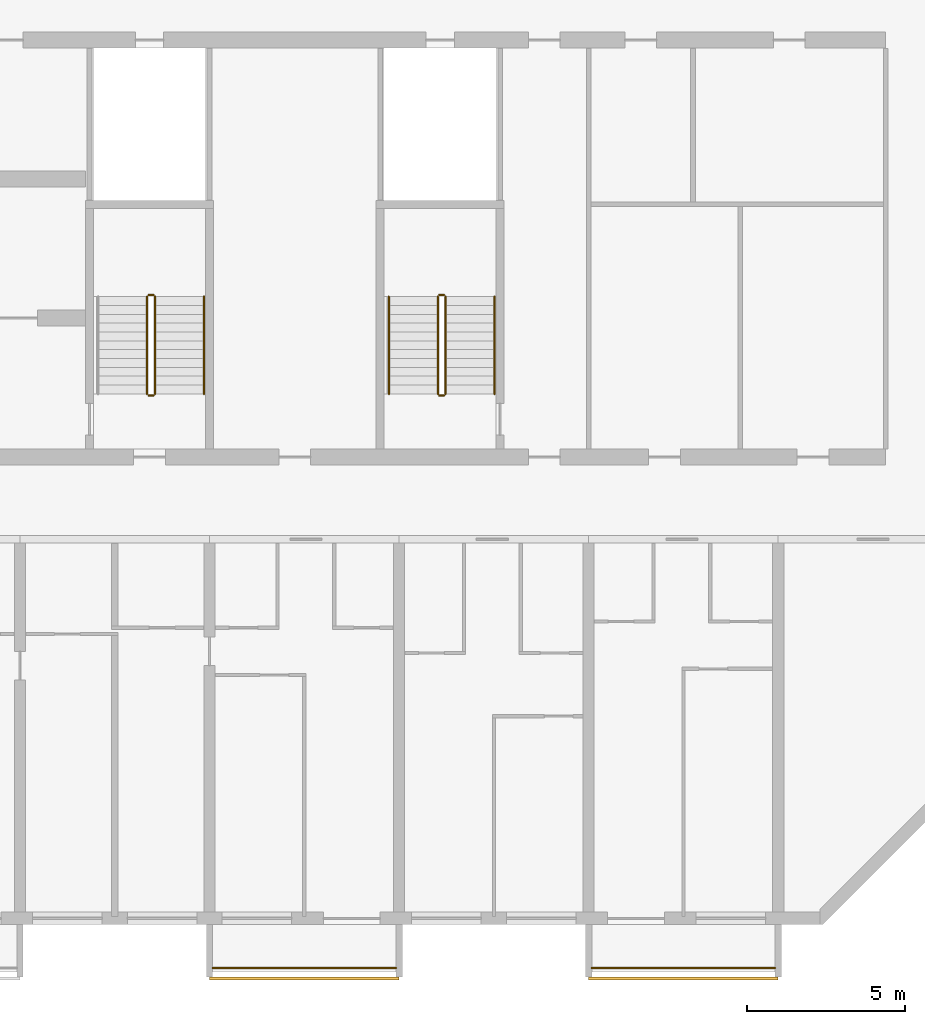
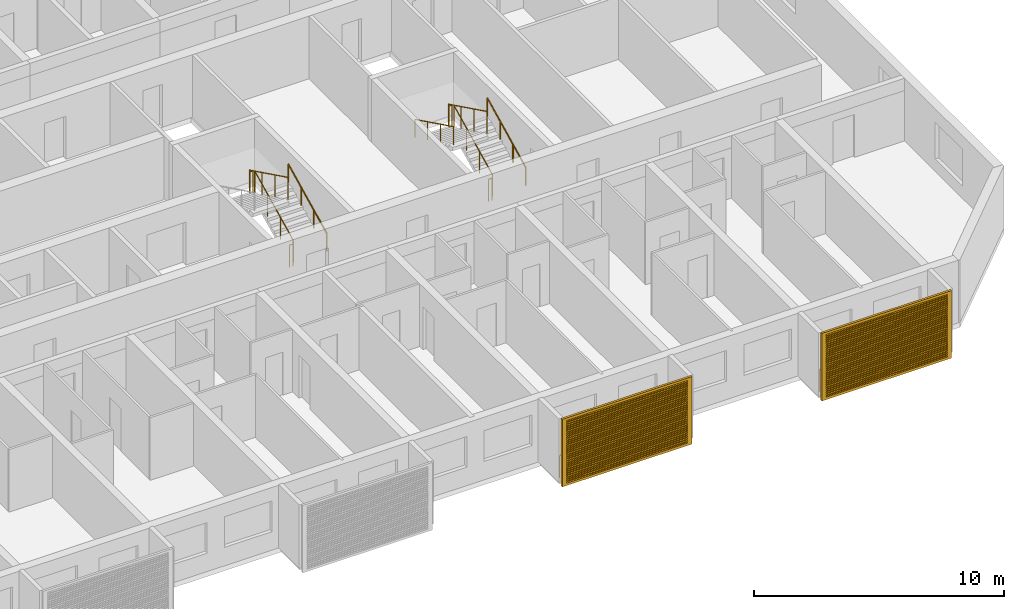
# One storey, part 27 of 29: 13 railings, 2 shading devices.
"""IFC4 building model written with IfcOpenShell, lengths in metres."""

from ifc_helpers import new_model, si_unit, direction, frame, origin, origin_2d, place, context, subcontext, project, spatial, polyline, circle, outline, extrude, source, transform, mapped, material, material_profile, profile_set, type_object, element, save


model = new_model("IFC4")

# Units and contexts
model_context = context("Model", 3, precision=1e-05, world=origin(), true_north=direction((0.0, 1.0)))
body_context = subcontext(model_context, "Body", "Model", "MODEL_VIEW")
ifc_project = project(units=[si_unit("LENGTHUNIT", "METRE"), si_unit("AREAUNIT", "SQUARE_METRE"), si_unit("VOLUMEUNIT", "CUBIC_METRE"), si_unit("PLANEANGLEUNIT", "RADIAN"), si_unit("MASSUNIT", "GRAM", prefix="KILO")], contexts=[model_context])

# Site, building, storey
site_placement = place(None, origin())
site = spatial("IfcSite", under=ifc_project, at=site_placement, CompositionType="ELEMENT")
building_placement = place(site_placement, origin())
building = spatial("IfcBuilding", under=site, at=building_placement, Name="Poui Terraces", CompositionType="ELEMENT")
storey_placement = place(building_placement, frame((0.0, 0.0, 86.10009765625)))
storey = spatial("IfcBuildingStorey", under=building, at=storey_placement, Name="L23", CompositionType="ELEMENT", Elevation=86.10009765625)

# Railings
ifc_material_1 = material(Name="Painted steel fretwork", Category="steel")
railing_type_1 = type_object("IfcRailingType", Name="BALCONY GUARD 1100", PredefinedType="GUARDRAIL", material=ifc_material_1)
for number, where, name in (
    (1, (72.10009765625, -1.570068359375, 0.0), "BALCONY GUARD"),
    (2, (84.10009765625, -1.570068359375, 0.0), "BALCONY GUARD"),
):
    element("IfcRailing", number, at=place(storey_placement, frame(where)), inside=storey, type_object=railing_type_1, Name=name, PredefinedType="GUARDRAIL", context=body_context, shape_type="SweptSolid", body=[
        extrude(circle(Radius=0.02392578125, at=origin_2d()), frame((0.0, 0.0, 1.076171875), z_axis=(1.0, 0.0, 0.0), x_axis=(0.0, 1.0, 0.0)), (0.0, 0.0, 1.0), 5.7998046875),
        extrude(circle(Radius=0.02099609375, at=origin_2d()), origin(), (0.0, 0.0, 1.0), 1.052001953125),
        extrude(circle(Radius=0.02099609375, at=origin_2d()), frame((0.966552734375, 0.0, 0.0)), (0.0, 0.0, 1.0), 1.052001953125),
        extrude(circle(Radius=0.02099609375, at=origin_2d()), frame((1.933349609375, 0.0, 0.0)), (0.0, 0.0, 1.0), 1.052001953125),
        extrude(circle(Radius=0.02099609375, at=origin_2d()), frame((2.89990234375, 0.0, 0.0)), (0.0, 0.0, 1.0), 1.052001953125),
        extrude(circle(Radius=0.02099609375, at=origin_2d()), frame((3.866455078125, 0.0, 0.0)), (0.0, 0.0, 1.0), 1.052001953125),
        extrude(circle(Radius=0.02099609375, at=origin_2d()), frame((4.833251953125, 0.0, 0.0)), (0.0, 0.0, 1.0), 1.052001953125),
        extrude(circle(Radius=0.02099609375, at=origin_2d()), frame((5.7998046875, 0.0, 0.0)), (0.0, 0.0, 1.0), 1.052001953125),
    ])
ifc_material_2 = material(Name="Galvanised steel balustrade", Category="steel")
railing_type_2 = type_object("IfcRailingType", Name="STAIR GUARD 1100", PredefinedType="GUARDRAIL", material=ifc_material_2)
railing_1_placement = place(storey_placement, frame((70.27490234375, 16.60009765625, 0.137451171875)))
element("IfcRailing", 3, at=railing_1_placement, inside=storey, type_object=railing_type_2, Name="L23 ST-CE stair guard 1", PredefinedType="GUARDRAIL", context=body_context, shape_type="SweptSolid", body=[
    extrude(circle(Radius=0.02392578125, at=origin_2d()), frame((0.0, 0.0, 1.076171875), z_axis=(0.0, 0.897606190399, 0.440798283751), x_axis=(-1.0, 0.0, 0.0)), (0.0, 0.0, 1.0), 3.43115234375),
    extrude(circle(Radius=0.02099609375, at=origin_2d()), origin(), (0.0, 0.0, 1.0), 1.052001953125),
    extrude(circle(Radius=0.02099609375, at=origin_2d()), frame((0.0, 1.026611328125, 0.504150390625)), (0.0, 0.0, 1.0), 1.052001953125),
    extrude(circle(Radius=0.02099609375, at=origin_2d()), frame((0.0, 2.05322265625, 1.00830078125)), (0.0, 0.0, 1.0), 1.052001953125),
    extrude(circle(Radius=0.02099609375, at=origin_2d()), frame((0.0, 3.079833984375, 1.512451171875)), (0.0, 0.0, 1.0), 1.052001953125),
])
railing_2_placement = place(storey_placement, frame((70.22509765625, 19.72998046875, 1.64990234375)))
element("IfcRailing", 4, at=railing_2_placement, inside=storey, type_object=railing_type_2, Name="L23 ST-CE stair guard 2", PredefinedType="GUARDRAIL", context=body_context, shape_type="SweptSolid", body=[
    extrude(circle(Radius=0.02392578125, at=origin_2d()), frame((0.0, 0.0, 1.076171875), z_axis=(-1.0, 0.0, 0.0), x_axis=(0.0, -1.0, 0.0)), (0.0, 0.0, 1.0), 0.150146484375),
    extrude(circle(Radius=0.02099609375, at=origin_2d()), origin(), (0.0, 0.0, 1.0), 1.052001953125),
    extrude(circle(Radius=0.02099609375, at=origin_2d()), frame((-0.150146484375, 0.0, 0.0)), (0.0, 0.0, 1.0), 1.052001953125),
])
railing_3_placement = place(storey_placement, frame((70.02490234375, 19.679931640625, 1.787353515625)))
element("IfcRailing", 5, at=railing_3_placement, inside=storey, type_object=railing_type_2, Name="L23 ST-CE stair guard 3", PredefinedType="GUARDRAIL", context=body_context, shape_type="SweptSolid", body=[
    extrude(circle(Radius=0.02392578125, at=origin_2d()), frame((0.0, 0.0, 1.076171875), z_axis=(0.0, -0.897606190399, 0.440798283751), x_axis=(1.0, 0.0, 0.0)), (0.0, 0.0, 1.0), 3.43115234375),
    extrude(circle(Radius=0.02099609375, at=origin_2d()), origin(), (0.0, 0.0, 1.0), 1.052001953125),
    extrude(circle(Radius=0.02099609375, at=origin_2d()), frame((0.0, -1.026611328125, 0.504150390625)), (0.0, 0.0, 1.0), 1.052001953125),
    extrude(circle(Radius=0.02099609375, at=origin_2d()), frame((0.0, -2.05322265625, 1.00830078125)), (0.0, 0.0, 1.0), 1.052001953125),
    extrude(circle(Radius=0.02099609375, at=origin_2d()), frame((0.0, -3.079833984375, 1.512451171875)), (0.0, 0.0, 1.0), 1.052001953125),
])
railing_4_placement = place(storey_placement, frame((70.22509765625, 16.550048828125, 0.0)))
element("IfcRailing", 6, at=railing_4_placement, inside=storey, type_object=railing_type_2, Name="L23 ST-CE stair guard 4", PredefinedType="GUARDRAIL", context=body_context, shape_type="SweptSolid", body=[
    extrude(circle(Radius=0.02392578125, at=origin_2d()), frame((0.0, 0.0, 1.076171875), z_axis=(-1.0, 0.0, 0.0), x_axis=(0.0, -1.0, 0.0)), (0.0, 0.0, 1.0), 0.150146484375),
    extrude(circle(Radius=0.02099609375, at=origin_2d()), origin(), (0.0, 0.0, 1.0), 1.052001953125),
    extrude(circle(Radius=0.02099609375, at=origin_2d()), frame((-0.150146484375, 0.0, 0.0)), (0.0, 0.0, 1.0), 1.052001953125),
])
railing_5_placement = place(storey_placement, frame((79.47509765625, 16.60009765625, 0.137451171875)))
element("IfcRailing", 7, at=railing_5_placement, inside=storey, type_object=railing_type_2, Name="L23 ST-E stair guard 1", PredefinedType="GUARDRAIL", context=body_context, shape_type="SweptSolid", body=[
    extrude(circle(Radius=0.02392578125, at=origin_2d()), frame((0.0, 0.0, 1.076171875), z_axis=(0.0, 0.897606190399, 0.440798283751), x_axis=(-1.0, 0.0, 0.0)), (0.0, 0.0, 1.0), 3.43115234375),
    extrude(circle(Radius=0.02099609375, at=origin_2d()), origin(), (0.0, 0.0, 1.0), 1.052001953125),
    extrude(circle(Radius=0.02099609375, at=origin_2d()), frame((0.0, 1.026611328125, 0.504150390625)), (0.0, 0.0, 1.0), 1.052001953125),
    extrude(circle(Radius=0.02099609375, at=origin_2d()), frame((0.0, 2.05322265625, 1.00830078125)), (0.0, 0.0, 1.0), 1.052001953125),
    extrude(circle(Radius=0.02099609375, at=origin_2d()), frame((0.0, 3.079833984375, 1.512451171875)), (0.0, 0.0, 1.0), 1.052001953125),
])
railing_6_placement = place(storey_placement, frame((79.425048828125, 19.72998046875, 1.64990234375)))
element("IfcRailing", 8, at=railing_6_placement, inside=storey, type_object=railing_type_2, Name="L23 ST-E stair guard 2", PredefinedType="GUARDRAIL", context=body_context, shape_type="SweptSolid", body=[
    extrude(circle(Radius=0.02392578125, at=origin_2d()), frame((0.0, 0.0, 1.076171875), z_axis=(-1.0, 0.0, 0.0), x_axis=(0.0, -1.0, 0.0)), (0.0, 0.0, 1.0), 0.150146484375),
    extrude(circle(Radius=0.02099609375, at=origin_2d()), origin(), (0.0, 0.0, 1.0), 1.052001953125),
    extrude(circle(Radius=0.02099609375, at=origin_2d()), frame((-0.150146484375, 0.0, 0.0)), (0.0, 0.0, 1.0), 1.052001953125),
])
railing_7_placement = place(storey_placement, frame((79.22509765625, 19.679931640625, 1.787353515625)))
element("IfcRailing", 9, at=railing_7_placement, inside=storey, type_object=railing_type_2, Name="L23 ST-E stair guard 3", PredefinedType="GUARDRAIL", context=body_context, shape_type="SweptSolid", body=[
    extrude(circle(Radius=0.02392578125, at=origin_2d()), frame((0.0, 0.0, 1.076171875), z_axis=(0.0, -0.897606190399, 0.440798283751), x_axis=(1.0, 0.0, 0.0)), (0.0, 0.0, 1.0), 3.43115234375),
    extrude(circle(Radius=0.02099609375, at=origin_2d()), origin(), (0.0, 0.0, 1.0), 1.052001953125),
    extrude(circle(Radius=0.02099609375, at=origin_2d()), frame((0.0, -1.026611328125, 0.504150390625)), (0.0, 0.0, 1.0), 1.052001953125),
    extrude(circle(Radius=0.02099609375, at=origin_2d()), frame((0.0, -2.05322265625, 1.00830078125)), (0.0, 0.0, 1.0), 1.052001953125),
    extrude(circle(Radius=0.02099609375, at=origin_2d()), frame((0.0, -3.079833984375, 1.512451171875)), (0.0, 0.0, 1.0), 1.052001953125),
])
railing_8_placement = place(storey_placement, frame((79.425048828125, 16.550048828125, 0.0)))
element("IfcRailing", 10, at=railing_8_placement, inside=storey, type_object=railing_type_2, Name="L23 ST-E stair guard 4", PredefinedType="GUARDRAIL", context=body_context, shape_type="SweptSolid", body=[
    extrude(circle(Radius=0.02392578125, at=origin_2d()), frame((0.0, 0.0, 1.076171875), z_axis=(-1.0, 0.0, 0.0), x_axis=(0.0, -1.0, 0.0)), (0.0, 0.0, 1.0), 0.150146484375),
    extrude(circle(Radius=0.02099609375, at=origin_2d()), origin(), (0.0, 0.0, 1.0), 1.052001953125),
    extrude(circle(Radius=0.02099609375, at=origin_2d()), frame((-0.150146484375, 0.0, 0.0)), (0.0, 0.0, 1.0), 1.052001953125),
])
ifc_material_3 = material(Name="Stainless steel handrail", Category="steel")
railing_type_3 = type_object("IfcRailingType", Name="STAIR HANDRAIL 900", PredefinedType="HANDRAIL", material=ifc_material_3)
for number, where, name in (
    (11, (71.824951171875, 16.60009765625, 0.137451171875), "L23 ST-CE stair handrail 1"),
    (12, (81.02490234375, 16.60009765625, 0.137451171875), "L23 ST-E stair handrail 1"),
):
    element("IfcRailing", number, at=place(storey_placement, frame(where)), inside=storey, type_object=railing_type_3, Name=name, PredefinedType="HANDRAIL", context=body_context, shape_type="SweptSolid", body=[
        extrude(circle(Radius=0.02392578125, at=origin_2d()), frame((0.0, 0.0, 0.8759765625), z_axis=(0.0, 0.897606190399, 0.440798283751), x_axis=(-1.0, 0.0, 0.0)), (0.0, 0.0, 1.0), 3.43115234375),
        extrude(circle(Radius=0.02099609375, at=origin_2d()), origin(), (0.0, 0.0, 1.0), 0.851806640625),
        extrude(circle(Radius=0.02099609375, at=origin_2d()), frame((0.0, 1.026611328125, 0.504150390625)), (0.0, 0.0, 1.0), 0.851806640625),
        extrude(circle(Radius=0.02099609375, at=origin_2d()), frame((0.0, 2.05322265625, 1.00830078125)), (0.0, 0.0, 1.0), 0.851806640625),
        extrude(circle(Radius=0.02099609375, at=origin_2d()), frame((0.0, 3.079833984375, 1.512451171875)), (0.0, 0.0, 1.0), 0.851806640625),
    ])
railing_9_placement = place(storey_placement, frame((77.675048828125, 19.679931640625, 1.787353515625)))
element("IfcRailing", 13, at=railing_9_placement, inside=storey, type_object=railing_type_3, Name="L23 ST-E stair handrail 2", PredefinedType="HANDRAIL", context=body_context, shape_type="SweptSolid", body=[
    extrude(circle(Radius=0.02392578125, at=origin_2d()), frame((0.0, 0.0, 0.8759765625), z_axis=(0.0, -0.897606190399, 0.440798283751), x_axis=(1.0, 0.0, 0.0)), (0.0, 0.0, 1.0), 3.43115234375),
    extrude(circle(Radius=0.02099609375, at=origin_2d()), origin(), (0.0, 0.0, 1.0), 0.851806640625),
    extrude(circle(Radius=0.02099609375, at=origin_2d()), frame((0.0, -1.026611328125, 0.504150390625)), (0.0, 0.0, 1.0), 0.851806640625),
    extrude(circle(Radius=0.02099609375, at=origin_2d()), frame((0.0, -2.05322265625, 1.00830078125)), (0.0, 0.0, 1.0), 0.851806640625),
    extrude(circle(Radius=0.02099609375, at=origin_2d()), frame((0.0, -3.079833984375, 1.512451171875)), (0.0, 0.0, 1.0), 0.851806640625),
])

# Shading devices
ifc_material_4 = material(Name="Aluminium louvre", Category="aluminium")
ifc_material_profile = material_profile(ifc_material_4, outline(polyline([(-3.0, -1.64990234375), (3.0, -1.64990234375), (3.0, 1.64990234375), (-3.0, 1.64990234375), (-3.0, -1.64990234375)]), holes=[polyline([(-2.800048828125, -1.530029296875), (2.800048828125, -1.530029296875), (2.800048828125, -1.469970703125), (-2.800048828125, -1.469970703125), (-2.800048828125, -1.530029296875)]), polyline([(-2.800048828125, -1.429931640625), (2.800048828125, -1.429931640625), (2.800048828125, -1.3701171875), (-2.800048828125, -1.3701171875), (-2.800048828125, -1.429931640625)]), polyline([(-2.800048828125, -1.330078125), (2.800048828125, -1.330078125), (2.800048828125, -1.27001953125), (-2.800048828125, -1.27001953125), (-2.800048828125, -1.330078125)]), polyline([(-2.800048828125, -1.22998046875), (2.800048828125, -1.22998046875), (2.800048828125, -1.169921875), (-2.800048828125, -1.169921875), (-2.800048828125, -1.22998046875)]), polyline([(-2.800048828125, -1.1298828125), (2.800048828125, -1.1298828125), (2.800048828125, -1.070068359375), (-2.800048828125, -1.070068359375), (-2.800048828125, -1.1298828125)]), polyline([(-2.800048828125, -1.030029296875), (2.800048828125, -1.030029296875), (2.800048828125, -0.969970703125), (-2.800048828125, -0.969970703125), (-2.800048828125, -1.030029296875)]), polyline([(-2.800048828125, -0.929931640625), (2.800048828125, -0.929931640625), (2.800048828125, -0.8701171875), (-2.800048828125, -0.8701171875), (-2.800048828125, -0.929931640625)]), polyline([(-2.800048828125, -0.830078125), (2.800048828125, -0.830078125), (2.800048828125, -0.77001953125), (-2.800048828125, -0.77001953125), (-2.800048828125, -0.830078125)]), polyline([(-2.800048828125, -0.72998046875), (2.800048828125, -0.72998046875), (2.800048828125, -0.669921875), (-2.800048828125, -0.669921875), (-2.800048828125, -0.72998046875)]), polyline([(-2.800048828125, -0.6298828125), (2.800048828125, -0.6298828125), (2.800048828125, -0.570068359375), (-2.800048828125, -0.570068359375), (-2.800048828125, -0.6298828125)]), polyline([(-2.800048828125, -0.530029296875), (2.800048828125, -0.530029296875), (2.800048828125, -0.469970703125), (-2.800048828125, -0.469970703125), (-2.800048828125, -0.530029296875)]), polyline([(-2.800048828125, -0.429931640625), (2.800048828125, -0.429931640625), (2.800048828125, -0.3701171875), (-2.800048828125, -0.3701171875), (-2.800048828125, -0.429931640625)]), polyline([(-2.800048828125, -0.330078125), (2.800048828125, -0.330078125), (2.800048828125, -0.27001953125), (-2.800048828125, -0.27001953125), (-2.800048828125, -0.330078125)]), polyline([(-2.800048828125, -0.22998046875), (2.800048828125, -0.22998046875), (2.800048828125, -0.169921875), (-2.800048828125, -0.169921875), (-2.800048828125, -0.22998046875)]), polyline([(-2.800048828125, -0.1298828125), (2.800048828125, -0.1298828125), (2.800048828125, -0.070068359375), (-2.800048828125, -0.070068359375), (-2.800048828125, -0.1298828125)]), polyline([(-2.800048828125, -0.030029296875), (2.800048828125, -0.030029296875), (2.800048828125, 0.030029296875), (-2.800048828125, 0.030029296875), (-2.800048828125, -0.030029296875)]), polyline([(-2.800048828125, 0.070068359375), (2.800048828125, 0.070068359375), (2.800048828125, 0.1298828125), (-2.800048828125, 0.1298828125), (-2.800048828125, 0.070068359375)]), polyline([(-2.800048828125, 0.169921875), (2.800048828125, 0.169921875), (2.800048828125, 0.22998046875), (-2.800048828125, 0.22998046875), (-2.800048828125, 0.169921875)]), polyline([(-2.800048828125, 0.27001953125), (2.800048828125, 0.27001953125), (2.800048828125, 0.330078125), (-2.800048828125, 0.330078125), (-2.800048828125, 0.27001953125)]), polyline([(-2.800048828125, 0.3701171875), (2.800048828125, 0.3701171875), (2.800048828125, 0.429931640625), (-2.800048828125, 0.429931640625), (-2.800048828125, 0.3701171875)]), polyline([(-2.800048828125, 0.469970703125), (2.800048828125, 0.469970703125), (2.800048828125, 0.530029296875), (-2.800048828125, 0.530029296875), (-2.800048828125, 0.469970703125)]), polyline([(-2.800048828125, 0.570068359375), (2.800048828125, 0.570068359375), (2.800048828125, 0.6298828125), (-2.800048828125, 0.6298828125), (-2.800048828125, 0.570068359375)]), polyline([(-2.800048828125, 0.669921875), (2.800048828125, 0.669921875), (2.800048828125, 0.72998046875), (-2.800048828125, 0.72998046875), (-2.800048828125, 0.669921875)]), polyline([(-2.800048828125, 0.77001953125), (2.800048828125, 0.77001953125), (2.800048828125, 0.830078125), (-2.800048828125, 0.830078125), (-2.800048828125, 0.77001953125)]), polyline([(-2.800048828125, 0.8701171875), (2.800048828125, 0.8701171875), (2.800048828125, 0.929931640625), (-2.800048828125, 0.929931640625), (-2.800048828125, 0.8701171875)]), polyline([(-2.800048828125, 0.969970703125), (2.800048828125, 0.969970703125), (2.800048828125, 1.030029296875), (-2.800048828125, 1.030029296875), (-2.800048828125, 0.969970703125)]), polyline([(-2.800048828125, 1.070068359375), (2.800048828125, 1.070068359375), (2.800048828125, 1.1298828125), (-2.800048828125, 1.1298828125), (-2.800048828125, 1.070068359375)]), polyline([(-2.800048828125, 1.169921875), (2.800048828125, 1.169921875), (2.800048828125, 1.22998046875), (-2.800048828125, 1.22998046875), (-2.800048828125, 1.169921875)]), polyline([(-2.800048828125, 1.27001953125), (2.800048828125, 1.27001953125), (2.800048828125, 1.330078125), (-2.800048828125, 1.330078125), (-2.800048828125, 1.27001953125)]), polyline([(-2.800048828125, 1.3701171875), (2.800048828125, 1.3701171875), (2.800048828125, 1.429931640625), (-2.800048828125, 1.429931640625), (-2.800048828125, 1.3701171875)]), polyline([(-2.800048828125, 1.469970703125), (2.800048828125, 1.469970703125), (2.800048828125, 1.530029296875), (-2.800048828125, 1.530029296875), (-2.800048828125, 1.469970703125)])]), Name="JALOUSIE LOUVRE SHUTTER 6000X3300")
ifc_profile_set = profile_set([ifc_material_profile], Name="Aluminium louvre")
shading_device_type = type_object("IfcShadingDeviceType", Name="JALOUSIE LOUVRE SHUTTER 6000X3300", PredefinedType="JALOUSIE", material=ifc_profile_set)
shared_shape = source(origin(), body_context, "Body", "SweptSolid", [
    extrude(outline(polyline([(-3.0, -1.64990234375), (3.0, -1.64990234375), (3.0, 1.64990234375), (-3.0, 1.64990234375), (-3.0, -1.64990234375)]), holes=[polyline([(-2.800048828125, -1.530029296875), (2.800048828125, -1.530029296875), (2.800048828125, -1.469970703125), (-2.800048828125, -1.469970703125), (-2.800048828125, -1.530029296875)]), polyline([(-2.800048828125, -1.429931640625), (2.800048828125, -1.429931640625), (2.800048828125, -1.3701171875), (-2.800048828125, -1.3701171875), (-2.800048828125, -1.429931640625)]), polyline([(-2.800048828125, -1.330078125), (2.800048828125, -1.330078125), (2.800048828125, -1.27001953125), (-2.800048828125, -1.27001953125), (-2.800048828125, -1.330078125)]), polyline([(-2.800048828125, -1.22998046875), (2.800048828125, -1.22998046875), (2.800048828125, -1.169921875), (-2.800048828125, -1.169921875), (-2.800048828125, -1.22998046875)]), polyline([(-2.800048828125, -1.1298828125), (2.800048828125, -1.1298828125), (2.800048828125, -1.070068359375), (-2.800048828125, -1.070068359375), (-2.800048828125, -1.1298828125)]), polyline([(-2.800048828125, -1.030029296875), (2.800048828125, -1.030029296875), (2.800048828125, -0.969970703125), (-2.800048828125, -0.969970703125), (-2.800048828125, -1.030029296875)]), polyline([(-2.800048828125, -0.929931640625), (2.800048828125, -0.929931640625), (2.800048828125, -0.8701171875), (-2.800048828125, -0.8701171875), (-2.800048828125, -0.929931640625)]), polyline([(-2.800048828125, -0.830078125), (2.800048828125, -0.830078125), (2.800048828125, -0.77001953125), (-2.800048828125, -0.77001953125), (-2.800048828125, -0.830078125)]), polyline([(-2.800048828125, -0.72998046875), (2.800048828125, -0.72998046875), (2.800048828125, -0.669921875), (-2.800048828125, -0.669921875), (-2.800048828125, -0.72998046875)]), polyline([(-2.800048828125, -0.6298828125), (2.800048828125, -0.6298828125), (2.800048828125, -0.570068359375), (-2.800048828125, -0.570068359375), (-2.800048828125, -0.6298828125)]), polyline([(-2.800048828125, -0.530029296875), (2.800048828125, -0.530029296875), (2.800048828125, -0.469970703125), (-2.800048828125, -0.469970703125), (-2.800048828125, -0.530029296875)]), polyline([(-2.800048828125, -0.429931640625), (2.800048828125, -0.429931640625), (2.800048828125, -0.3701171875), (-2.800048828125, -0.3701171875), (-2.800048828125, -0.429931640625)]), polyline([(-2.800048828125, -0.330078125), (2.800048828125, -0.330078125), (2.800048828125, -0.27001953125), (-2.800048828125, -0.27001953125), (-2.800048828125, -0.330078125)]), polyline([(-2.800048828125, -0.22998046875), (2.800048828125, -0.22998046875), (2.800048828125, -0.169921875), (-2.800048828125, -0.169921875), (-2.800048828125, -0.22998046875)]), polyline([(-2.800048828125, -0.1298828125), (2.800048828125, -0.1298828125), (2.800048828125, -0.070068359375), (-2.800048828125, -0.070068359375), (-2.800048828125, -0.1298828125)]), polyline([(-2.800048828125, -0.030029296875), (2.800048828125, -0.030029296875), (2.800048828125, 0.030029296875), (-2.800048828125, 0.030029296875), (-2.800048828125, -0.030029296875)]), polyline([(-2.800048828125, 0.070068359375), (2.800048828125, 0.070068359375), (2.800048828125, 0.1298828125), (-2.800048828125, 0.1298828125), (-2.800048828125, 0.070068359375)]), polyline([(-2.800048828125, 0.169921875), (2.800048828125, 0.169921875), (2.800048828125, 0.22998046875), (-2.800048828125, 0.22998046875), (-2.800048828125, 0.169921875)]), polyline([(-2.800048828125, 0.27001953125), (2.800048828125, 0.27001953125), (2.800048828125, 0.330078125), (-2.800048828125, 0.330078125), (-2.800048828125, 0.27001953125)]), polyline([(-2.800048828125, 0.3701171875), (2.800048828125, 0.3701171875), (2.800048828125, 0.429931640625), (-2.800048828125, 0.429931640625), (-2.800048828125, 0.3701171875)]), polyline([(-2.800048828125, 0.469970703125), (2.800048828125, 0.469970703125), (2.800048828125, 0.530029296875), (-2.800048828125, 0.530029296875), (-2.800048828125, 0.469970703125)]), polyline([(-2.800048828125, 0.570068359375), (2.800048828125, 0.570068359375), (2.800048828125, 0.6298828125), (-2.800048828125, 0.6298828125), (-2.800048828125, 0.570068359375)]), polyline([(-2.800048828125, 0.669921875), (2.800048828125, 0.669921875), (2.800048828125, 0.72998046875), (-2.800048828125, 0.72998046875), (-2.800048828125, 0.669921875)]), polyline([(-2.800048828125, 0.77001953125), (2.800048828125, 0.77001953125), (2.800048828125, 0.830078125), (-2.800048828125, 0.830078125), (-2.800048828125, 0.77001953125)]), polyline([(-2.800048828125, 0.8701171875), (2.800048828125, 0.8701171875), (2.800048828125, 0.929931640625), (-2.800048828125, 0.929931640625), (-2.800048828125, 0.8701171875)]), polyline([(-2.800048828125, 0.969970703125), (2.800048828125, 0.969970703125), (2.800048828125, 1.030029296875), (-2.800048828125, 1.030029296875), (-2.800048828125, 0.969970703125)]), polyline([(-2.800048828125, 1.070068359375), (2.800048828125, 1.070068359375), (2.800048828125, 1.1298828125), (-2.800048828125, 1.1298828125), (-2.800048828125, 1.070068359375)]), polyline([(-2.800048828125, 1.169921875), (2.800048828125, 1.169921875), (2.800048828125, 1.22998046875), (-2.800048828125, 1.22998046875), (-2.800048828125, 1.169921875)]), polyline([(-2.800048828125, 1.27001953125), (2.800048828125, 1.27001953125), (2.800048828125, 1.330078125), (-2.800048828125, 1.330078125), (-2.800048828125, 1.27001953125)]), polyline([(-2.800048828125, 1.3701171875), (2.800048828125, 1.3701171875), (2.800048828125, 1.429931640625), (-2.800048828125, 1.429931640625), (-2.800048828125, 1.3701171875)]), polyline([(-2.800048828125, 1.469970703125), (2.800048828125, 1.469970703125), (2.800048828125, 1.530029296875), (-2.800048828125, 1.530029296875), (-2.800048828125, 1.469970703125)])]), origin(), (0.0, 0.0, 1.0), 0.099853515625),
])
for number, where, z_axis, x_axis, name in (
    (14, (75.0, -1.85009765625, 1.449951171875), (0.0, -1.0, 0.0), (1.0, 0.0, 0.0), "JALOUSIE LOUVRE SHUTTER"),
    (15, (87.0, -1.85009765625, 1.449951171875), (0.0, -1.0, 0.0), (1.0, 0.0, 0.0), "JALOUSIE LOUVRE SHUTTER"),
):
    element("IfcShadingDevice", number, at=place(storey_placement, frame(where, z_axis=z_axis, x_axis=x_axis)), inside=storey, type_object=shading_device_type, Name=name, PredefinedType="JALOUSIE", context=body_context, shape_type="MappedRepresentation", body=[
        mapped(shared_shape, transform((0.0, 0.0, 0.0))),
    ])

save(model, "model.ifc")
